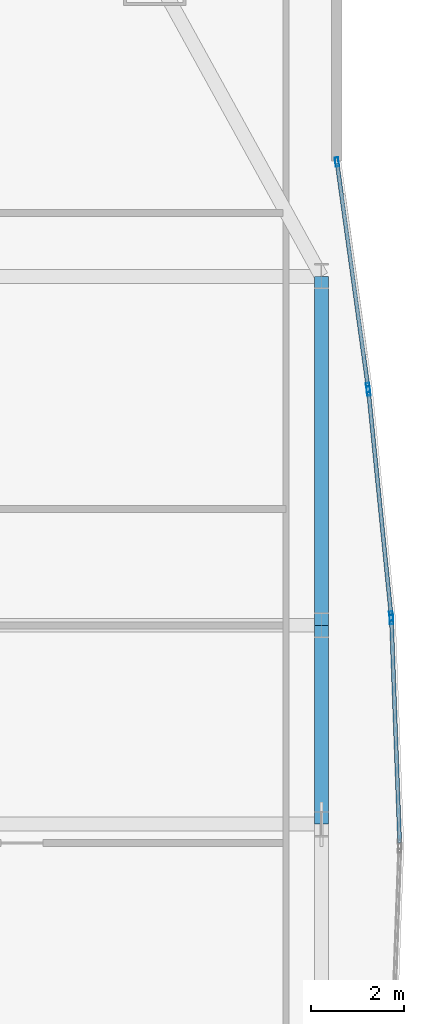
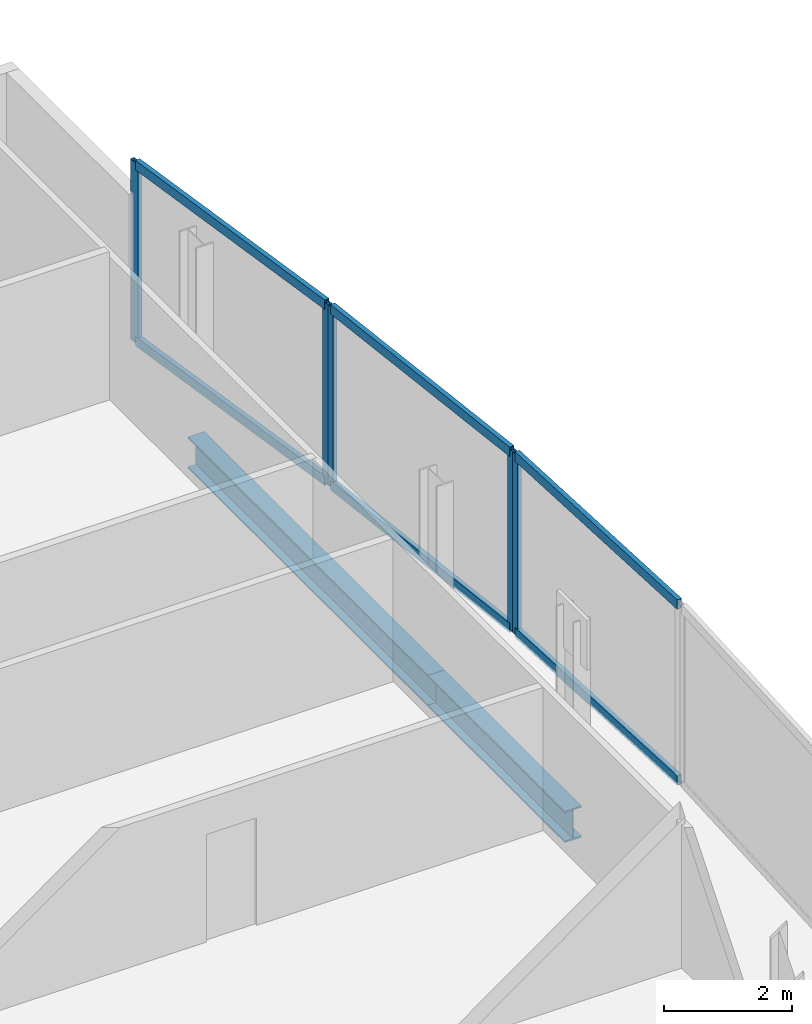
# One storey, part 22 of 29: 11 members, 2 beams, 3 elements without a shape of their own.
"""IFC4 building model written with IfcOpenShell, lengths in metres."""

from ifc_helpers import new_model, si_unit, direction, frame, origin, origin_2d, place, context, subcontext, project, spatial, hollow_rectangle, i_section, extrude, material, material_profile, profile_set, type_object, element, aggregate, save


model = new_model("IFC4")

# Units and contexts
model_context = context("Model", 3, precision=1e-05, world=origin(), true_north=direction((0.0, 1.0)))
body_context = subcontext(model_context, "Body", "Model", "MODEL_VIEW")
ifc_project = project(units=[si_unit("LENGTHUNIT", "METRE"), si_unit("AREAUNIT", "SQUARE_METRE"), si_unit("VOLUMEUNIT", "CUBIC_METRE"), si_unit("PLANEANGLEUNIT", "RADIAN"), si_unit("MASSUNIT", "GRAM", prefix="KILO")], contexts=[model_context])

# Site, building, storey
site_placement = place(None, origin())
site = spatial("IfcSite", under=ifc_project, at=site_placement, CompositionType="ELEMENT")
building_placement = place(site_placement, origin())
building = spatial("IfcBuilding", under=site, at=building_placement, Name="Khoronbel Lancet Exchange", CompositionType="ELEMENT")
storey_placement = place(building_placement, frame((0.0, 0.0, 177.0)))
storey = spatial("IfcBuildingStorey", under=building, at=storey_placement, Name="L44", CompositionType="ELEMENT", Elevation=177.0)

# Beams
ifc_material_1 = material(Name="Steel S355", Category="steel")
ifc_material_profile_1 = material_profile(ifc_material_1, i_section(OverallWidth=0.300048828125, OverallDepth=0.60009765625, WebThickness=0.015380859375, FlangeThickness=0.030029296875, at=origin_2d()), Name="HEB 600")
ifc_profile_set_1 = profile_set([ifc_material_profile_1], Name="Steel S355")
beam_type = type_object("IfcBeamType", Name="BM-BSP2", PredefinedType="SPANDREL", material=ifc_profile_set_1)
beam_1_placement = place(storey_placement, frame((67.6298828125, 31.425048828125, -0.4599609375), z_axis=(0.0, 1.0, 0.0), x_axis=(-1.0, 0.0, 0.0)))
element("IfcBeam", 1, at=beam_1_placement, inside=storey, type_object=beam_type, Name="Level L44 perimeter spandrel beam SP13", PredefinedType="SPANDREL", context=body_context, shape_type="SweptSolid", body=[
    extrude(i_section(OverallWidth=0.300048828125, OverallDepth=0.60009765625, WebThickness=0.015380859375, FlangeThickness=0.030029296875, at=origin_2d()), origin(), (0.0, 0.0, 1.0), 4.27490234375),
])
beam_2_placement = place(storey_placement, frame((67.6298828125, 35.699951171875, -0.4599609375), z_axis=(0.0, 1.0, 0.0), x_axis=(-1.0, 0.0, 0.0)))
element("IfcBeam", 2, at=beam_2_placement, inside=storey, type_object=beam_type, Name="Level L44 perimeter spandrel beam SP14", PredefinedType="SPANDREL", context=body_context, shape_type="SweptSolid", body=[
    extrude(i_section(OverallWidth=0.300048828125, OverallDepth=0.60009765625, WebThickness=0.015380859375, FlangeThickness=0.030029296875, at=origin_2d()), origin(), (0.0, 0.0, 1.0), 7.5),
])

# Curtain wall, members
ifc_material_2 = material(Name="Low-E Solar Control Insulating Glass", Category="glass")
curtain_wall_type = type_object("IfcCurtainWallType", Name="CW-4", PredefinedType="NOTDEFINED", material=ifc_material_2)
curtain_wall_1_placement = place(storey_placement, origin())
curtain_wall_1 = element("IfcCurtainWall", 3, at=curtain_wall_1_placement, inside=storey, type_object=curtain_wall_type, Name="Unitised curtain wall CW-L44-E17", PredefinedType="NOTDEFINED")
ifc_material_3 = material(Name="Bronze-Anodised Aluminium 6063-T6", Category="aluminium")
ifc_material_profile_2 = material_profile(ifc_material_3, hollow_rectangle(XDim=0.074951171875, YDim=0.199951171875, WallThickness=0.0048828125, at=origin_2d()), Name="ALU MULLION 75x200")
ifc_profile_set_2 = profile_set([ifc_material_profile_2], Name="Bronze-Anodised Aluminium 6063-T6")
member_type_1 = type_object("IfcMemberType", Name="MEM-CWM2", PredefinedType="MULLION", material=ifc_profile_set_2)
member_1_placement = place(storey_placement, frame((67.965087890625, 45.65673828125, 0.0), z_axis=(0.0, 0.0, 1.0), x_axis=(0.990634372292, 0.136541350639, 0.0)))
member_1 = element("IfcMember", 4, at=member_1_placement, type_object=member_type_1, Name="CW4 mullion 1", PredefinedType="MULLION", context=body_context, shape_type="SweptSolid", body=[
    extrude(hollow_rectangle(XDim=0.074951171875, YDim=0.199951171875, WallThickness=0.0048828125, at=origin_2d()), origin(), (0.0, 0.0, 1.0), 3.43994140625),
])
member_2_placement = place(storey_placement, frame((68.63330078125, 40.809814453125, 0.0), z_axis=(0.0, 0.0, 1.0), x_axis=(0.990634372292, 0.136541350639, 0.0)))
member_2 = element("IfcMember", 5, at=member_2_placement, type_object=member_type_1, Name="CW4 mullion 2", PredefinedType="MULLION", context=body_context, shape_type="SweptSolid", body=[
    extrude(hollow_rectangle(XDim=0.074951171875, YDim=0.199951171875, WallThickness=0.0048828125, at=origin_2d()), origin(), (0.0, 0.0, 1.0), 3.43994140625),
])

curtain_wall_2_placement = place(storey_placement, origin())
curtain_wall_2 = element("IfcCurtainWall", 6, at=curtain_wall_2_placement, inside=storey, type_object=curtain_wall_type, Name="Unitised curtain wall CW-L44-E18", PredefinedType="NOTDEFINED")
member_3_placement = place(storey_placement, frame((68.64208984375, 40.7353515625, 0.0), z_axis=(0.0, 0.0, 1.0), x_axis=(0.994946738202, 0.10040412412, 0.0)))
member_3 = element("IfcMember", 7, at=member_3_placement, type_object=member_type_1, Name="CW4 mullion 1", PredefinedType="MULLION", context=body_context, shape_type="SweptSolid", body=[
    extrude(hollow_rectangle(XDim=0.074951171875, YDim=0.199951171875, WallThickness=0.0048828125, at=origin_2d()), origin(), (0.0, 0.0, 1.0), 3.43994140625),
])
member_4_placement = place(storey_placement, frame((69.130126953125, 35.897705078125, 0.0), z_axis=(0.0, 0.0, 1.0), x_axis=(0.994946738202, 0.10040412412, 0.0)))
member_4 = element("IfcMember", 8, at=member_4_placement, type_object=member_type_1, Name="CW4 mullion 2", PredefinedType="MULLION", context=body_context, shape_type="SweptSolid", body=[
    extrude(hollow_rectangle(XDim=0.074951171875, YDim=0.199951171875, WallThickness=0.0048828125, at=origin_2d()), origin(), (0.0, 0.0, 1.0), 3.43994140625),
])

# Curtain wall, member
curtain_wall_3_placement = place(storey_placement, origin())
curtain_wall_3 = element("IfcCurtainWall", 9, at=curtain_wall_3_placement, inside=storey, type_object=curtain_wall_type, Name="Unitised curtain wall CW-L44-E19", PredefinedType="NOTDEFINED")
member_5_placement = place(storey_placement, frame((69.135498046875, 35.822998046875, 0.0), z_axis=(0.0, 0.0, 1.0), x_axis=(0.999319120197, 0.036895745143, 0.0)))
member_5 = element("IfcMember", 10, at=member_5_placement, type_object=member_type_1, Name="CW4 mullion 1", PredefinedType="MULLION", context=body_context, shape_type="SweptSolid", body=[
    extrude(hollow_rectangle(XDim=0.074951171875, YDim=0.199951171875, WallThickness=0.0048828125, at=origin_2d()), origin(), (0.0, 0.0, 1.0), 3.43994140625),
])

# Member
ifc_material_profile_3 = material_profile(ifc_material_3, hollow_rectangle(XDim=0.0849609375, YDim=0.179931640625, WallThickness=0.0048828125, at=origin_2d()), Name="ALU TRANSOM 85x180")
ifc_profile_set_3 = profile_set([ifc_material_profile_3], Name="Bronze-Anodised Aluminium 6063-T6")
member_type_2 = type_object("IfcMemberType", Name="MEM-CWT1", PredefinedType="USERDEFINED", material=ifc_profile_set_3)
member_6_placement = place(storey_placement, frame((67.97021484375, 45.619384765625, 0.04248046875), z_axis=(0.136573947388, -0.990629878862, 0.0), x_axis=(0.990629878862, 0.136573947388, 0.0)))
member_6 = element("IfcMember", 11, at=member_6_placement, type_object=member_type_2, Name="CW4 transom 1.1", ObjectType="TRANSOM", PredefinedType="USERDEFINED", context=body_context, shape_type="SweptSolid", body=[
    extrude(hollow_rectangle(XDim=0.0849609375, YDim=0.179931640625, WallThickness=0.0048828125, at=origin_2d()), origin(), (0.0, 0.0, 1.0), 4.817626953125),
])

member_7_placement = place(storey_placement, frame((67.97021484375, 45.619384765625, 3.3974609375), z_axis=(0.136573947388, -0.990629878862, 0.0), x_axis=(0.990629878862, 0.136573947388, 0.0)))
member_7 = element("IfcMember", 12, at=member_7_placement, type_object=member_type_2, Name="CW4 transom 1.2", ObjectType="TRANSOM", PredefinedType="USERDEFINED", context=body_context, shape_type="SweptSolid", body=[
    extrude(hollow_rectangle(XDim=0.0849609375, YDim=0.179931640625, WallThickness=0.0048828125, at=origin_2d()), origin(), (0.0, 0.0, 1.0), 4.817626953125),
])

aggregate(curtain_wall_1, [member_1, member_2, member_6, member_7])

member_8_placement = place(storey_placement, frame((68.645751953125, 40.697998046875, 0.04248046875), z_axis=(0.100417624929, -0.994945375688, 0.0), x_axis=(0.994945375688, 0.100417624929, 0.0)))
member_8 = element("IfcMember", 13, at=member_8_placement, type_object=member_type_2, Name="CW4 transom 1.1", ObjectType="TRANSOM", PredefinedType="USERDEFINED", context=body_context, shape_type="SweptSolid", body=[
    extrude(hollow_rectangle(XDim=0.0849609375, YDim=0.179931640625, WallThickness=0.0048828125, at=origin_2d()), origin(), (0.0, 0.0, 1.0), 4.787109375),
])

member_9_placement = place(storey_placement, frame((68.645751953125, 40.697998046875, 3.3974609375), z_axis=(0.100417624929, -0.994945375688, 0.0), x_axis=(0.994945375688, 0.100417624929, 0.0)))
member_9 = element("IfcMember", 14, at=member_9_placement, type_object=member_type_2, Name="CW4 transom 1.2", ObjectType="TRANSOM", PredefinedType="USERDEFINED", context=body_context, shape_type="SweptSolid", body=[
    extrude(hollow_rectangle(XDim=0.0849609375, YDim=0.179931640625, WallThickness=0.0048828125, at=origin_2d()), origin(), (0.0, 0.0, 1.0), 4.787109375),
])

aggregate(curtain_wall_2, [member_3, member_4, member_8, member_9])

member_10_placement = place(storey_placement, frame((69.13671875, 35.78564453125, 0.04248046875), z_axis=(0.036897933762, -0.999319039388, 0.0), x_axis=(0.999319039388, 0.036897933762, 0.0)))
member_10 = element("IfcMember", 15, at=member_10_placement, type_object=member_type_2, Name="CW4 transom 1.1", ObjectType="TRANSOM", PredefinedType="USERDEFINED", context=body_context, shape_type="SweptSolid", body=[
    extrude(hollow_rectangle(XDim=0.0849609375, YDim=0.179931640625, WallThickness=0.0048828125, at=origin_2d()), origin(), (0.0, 0.0, 1.0), 4.763916015625),
])

member_11_placement = place(storey_placement, frame((69.13671875, 35.78564453125, 3.3974609375), z_axis=(0.036897933762, -0.999319039388, 0.0), x_axis=(0.999319039388, 0.036897933762, 0.0)))
member_11 = element("IfcMember", 16, at=member_11_placement, type_object=member_type_2, Name="CW4 transom 1.2", ObjectType="TRANSOM", PredefinedType="USERDEFINED", context=body_context, shape_type="SweptSolid", body=[
    extrude(hollow_rectangle(XDim=0.0849609375, YDim=0.179931640625, WallThickness=0.0048828125, at=origin_2d()), origin(), (0.0, 0.0, 1.0), 4.763916015625),
])

aggregate(curtain_wall_3, [member_5, member_10, member_11])

save(model, "model.ifc")
